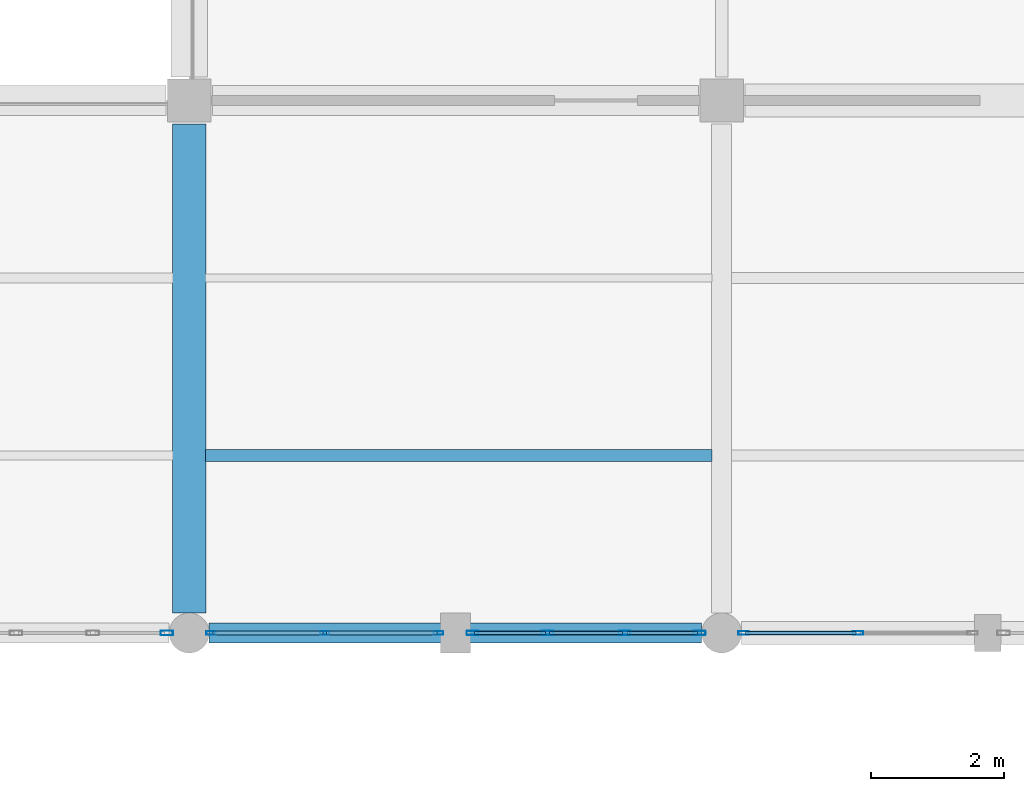
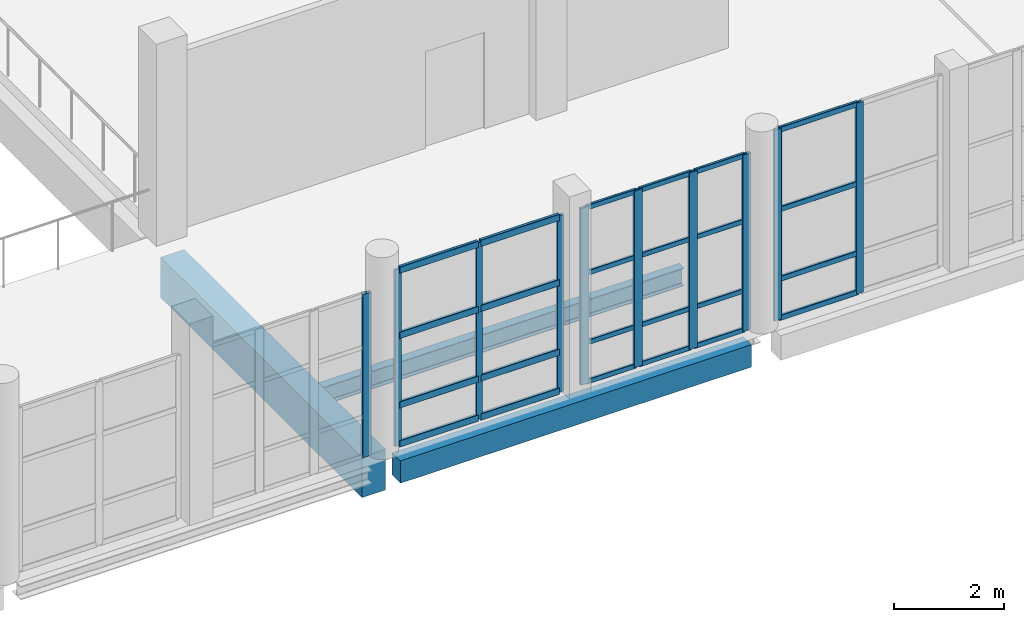
# One storey, part 26 of 183: 34 members, 3 beams, 4 elements without a shape of their own.
"""IFC4 building model written with IfcOpenShell, lengths in metres."""

from ifc_helpers import new_model, si_unit, direction, frame, origin, origin_2d, place, context, subcontext, project, spatial, rectangle, hollow_rectangle, i_section, extrude, material, material_profile, profile_set, type_object, element, aggregate, save


model = new_model("IFC4")

# Units and contexts
model_context = context("Model", 3, precision=1e-05, world=origin(), true_north=direction((0.0, 1.0)))
body_context = subcontext(model_context, "Body", "Model", "MODEL_VIEW")
ifc_project = project(units=[si_unit("LENGTHUNIT", "METRE"), si_unit("AREAUNIT", "SQUARE_METRE"), si_unit("VOLUMEUNIT", "CUBIC_METRE"), si_unit("PLANEANGLEUNIT", "RADIAN"), si_unit("MASSUNIT", "GRAM", prefix="KILO")], contexts=[model_context])

# Site, building, storey
site_placement = place(None, origin())
site = spatial("IfcSite", under=ifc_project, at=site_placement, CompositionType="ELEMENT")
building_placement = place(site_placement, origin())
building = spatial("IfcBuilding", under=site, at=building_placement, Name="Luwemba Playhouse", CompositionType="ELEMENT")
storey_placement = place(building_placement, frame((0.0, 0.0, 4.800048828125)))
storey = spatial("IfcBuildingStorey", under=building, at=storey_placement, Name="L01", CompositionType="ELEMENT", Elevation=4.800048828125)

# Beams
ifc_material_1 = material(Name="Concrete C40/50", Category="concrete")
ifc_material_profile_1 = material_profile(ifc_material_1, rectangle(XDim=0.5, YDim=0.89990234375, at=origin_2d()))
ifc_profile_set_1 = profile_set([ifc_material_profile_1], Name="Concrete C40/50")
beam_type_1 = type_object("IfcBeamType", Name="BM-RB07", PredefinedType="BEAM", material=ifc_profile_set_1)
beam_1_placement = place(storey_placement, frame((36.0, 3.300048828125, -0.699951171875), z_axis=(0.0, 1.0, 0.0), x_axis=(-1.0, 0.0, 0.0)))
element("IfcBeam", 1, at=beam_1_placement, inside=storey, type_object=beam_type_1, Name="L01 transverse girder 0507", PredefinedType="BEAM", context=body_context, shape_type="SweptSolid", body=[
    extrude(rectangle(XDim=0.5, YDim=0.89990234375, at=origin_2d()), origin(), (0.0, 0.0, 1.0), 7.349853515625),
])
ifc_material_2 = material(Name="Steel S355", Category="steel")
ifc_material_profile_2 = material_profile(ifc_material_2, i_section(OverallWidth=0.179931640625, OverallDepth=0.39990234375, WebThickness=0.008544921875, FlangeThickness=0.013427734375, FilletRadius=0.02099609375, at=origin_2d()))
ifc_profile_set_2 = profile_set([ifc_material_profile_2], Name="Steel S355")
beam_type_2 = type_object("IfcBeamType", Name="BM-SJ08", PredefinedType="JOIST", material=ifc_profile_set_2)
beam_2_placement = place(storey_placement, frame((36.24609375, 5.666748046875, -0.449951171875), z_axis=(1.0, 0.0, 0.0), x_axis=(0.0, 1.0, 0.0)))
element("IfcBeam", 2, at=beam_2_placement, inside=storey, type_object=beam_type_2, Name="L01 composite floor joist 0291", PredefinedType="JOIST", context=body_context, shape_type="SweptSolid", body=[
    extrude(i_section(OverallWidth=0.179931640625, OverallDepth=0.39990234375, WebThickness=0.008544921875, FlangeThickness=0.013427734375, FilletRadius=0.02099609375, at=origin_2d()), origin(), (0.0, 0.0, 1.0), 7.60791015625),
])
ifc_material_profile_3 = material_profile(ifc_material_1, rectangle(XDim=0.300048828125, YDim=0.5, at=origin_2d()))
ifc_profile_set_3 = profile_set([ifc_material_profile_3], Name="Concrete C40/50")
beam_type_3 = type_object("IfcBeamType", Name="BM-SP1", PredefinedType="SPANDREL", material=ifc_profile_set_3)
beam_3_placement = place(storey_placement, frame((36.300048828125, 3.0, -0.5), z_axis=(1.0, 0.0, 0.0), x_axis=(0.0, 1.0, 0.0)))
element("IfcBeam", 3, at=beam_3_placement, inside=storey, type_object=beam_type_3, Name="L01 grid girder 0472", PredefinedType="SPANDREL", context=body_context, shape_type="SweptSolid", body=[
    extrude(rectangle(XDim=0.300048828125, YDim=0.5, at=origin_2d()), origin(), (0.0, 0.0, 1.0), 7.39990234375),
])

# Curtain wall, members
ifc_material_3 = material(Name="Solar-control double glazing", Category="glass")
curtain_wall_type_1 = type_object("IfcCurtainWallType", Name="CW-CW110", PredefinedType="USERDEFINED", material=ifc_material_3)
curtain_wall_1_placement = place(storey_placement, origin())
curtain_wall_1 = element("IfcCurtainWall", 4, at=curtain_wall_1_placement, inside=storey, type_object=curtain_wall_type_1, Name="L01 V5W unitised curtain wall 142", ObjectType="UNITISED GLAZING", PredefinedType="USERDEFINED")
ifc_material_4 = material(Name="Aluminium 6063-T6", Category="aluminium")
ifc_material_profile_4 = material_profile(ifc_material_4, hollow_rectangle(XDim=0.06005859375, YDim=0.159912109375, WallThickness=0.00390625, InnerFilletRadius=0.006103515625, OuterFilletRadius=0.010009765625, at=origin_2d()))
ifc_profile_set_4 = profile_set([ifc_material_profile_4], Name="Aluminium 6063-T6")
member_type_1 = type_object("IfcMemberType", Name="CWM-M1", PredefinedType="MULLION", material=ifc_profile_set_4)
member_1_placement = place(storey_placement, frame((46.050048828125, 3.0, 0.0), z_axis=(0.0, 0.0, 1.0), x_axis=(0.0, -1.0, 0.0)))
member_1 = element("IfcMember", 5, at=member_1_placement, type_object=member_type_1, Name="CW110 mullion 2", PredefinedType="MULLION", context=body_context, shape_type="SweptSolid", body=[
    extrude(hollow_rectangle(XDim=0.06005859375, YDim=0.159912109375, WallThickness=0.00390625, InnerFilletRadius=0.006103515625, OuterFilletRadius=0.010009765625, at=origin_2d()), origin(), (0.0, 0.0, 1.0), 4.25),
])
member_2_placement = place(storey_placement, frame((44.330078125, 3.0, 0.0), z_axis=(0.0, 0.0, 1.0), x_axis=(0.0, -1.0, 0.0)))
member_2 = element("IfcMember", 6, at=member_2_placement, type_object=member_type_1, Name="CW110 mullion 3", PredefinedType="MULLION", context=body_context, shape_type="SweptSolid", body=[
    extrude(hollow_rectangle(XDim=0.06005859375, YDim=0.159912109375, WallThickness=0.00390625, InnerFilletRadius=0.006103515625, OuterFilletRadius=0.010009765625, at=origin_2d()), origin(), (0.0, 0.0, 1.0), 4.25),
])

curtain_wall_type_2 = type_object("IfcCurtainWallType", Name="CW-CW51", PredefinedType="USERDEFINED", material=ifc_material_3)
curtain_wall_2_placement = place(storey_placement, origin())
curtain_wall_2 = element("IfcCurtainWall", 7, at=curtain_wall_2_placement, inside=storey, type_object=curtain_wall_type_2, Name="L01 V5W unitised curtain wall 143", ObjectType="UNITISED GLAZING", PredefinedType="USERDEFINED")
ifc_material_profile_5 = material_profile(ifc_material_4, hollow_rectangle(XDim=0.06494140625, YDim=0.179931640625, WallThickness=0.00439453125, InnerFilletRadius=0.0068359375, OuterFilletRadius=0.01123046875, at=origin_2d()))
ifc_profile_set_5 = profile_set([ifc_material_profile_5], Name="Aluminium 6063-T6")
member_type_2 = type_object("IfcMemberType", Name="CWM-M2", PredefinedType="MULLION", material=ifc_profile_set_5)
member_3_placement = place(storey_placement, frame((43.66748046875, 3.0, 0.0), z_axis=(0.0, 0.0, 1.0), x_axis=(0.0, -1.0, 0.0)))
member_3 = element("IfcMember", 8, at=member_3_placement, type_object=member_type_2, Name="CW51 mullion 1", PredefinedType="MULLION", context=body_context, shape_type="SweptSolid", body=[
    extrude(hollow_rectangle(XDim=0.06494140625, YDim=0.179931640625, WallThickness=0.00439453125, InnerFilletRadius=0.0068359375, OuterFilletRadius=0.01123046875, at=origin_2d()), origin(), (0.0, 0.0, 1.0), 3.93505859375),
])
member_4_placement = place(storey_placement, frame((42.541748046875, 3.0, 0.0), z_axis=(0.0, 0.0, 1.0), x_axis=(0.0, -1.0, 0.0)))
member_4 = element("IfcMember", 9, at=member_4_placement, type_object=member_type_2, Name="CW51 mullion 2", PredefinedType="MULLION", context=body_context, shape_type="SweptSolid", body=[
    extrude(hollow_rectangle(XDim=0.06494140625, YDim=0.179931640625, WallThickness=0.00439453125, InnerFilletRadius=0.0068359375, OuterFilletRadius=0.01123046875, at=origin_2d()), origin(), (0.0, 0.0, 1.0), 3.93505859375),
])
member_5_placement = place(storey_placement, frame((41.38330078125, 3.0, 0.0), z_axis=(0.0, 0.0, 1.0), x_axis=(0.0, -1.0, 0.0)))
member_5 = element("IfcMember", 10, at=member_5_placement, type_object=member_type_2, Name="CW51 mullion 3", PredefinedType="MULLION", context=body_context, shape_type="SweptSolid", body=[
    extrude(hollow_rectangle(XDim=0.06494140625, YDim=0.179931640625, WallThickness=0.00439453125, InnerFilletRadius=0.0068359375, OuterFilletRadius=0.01123046875, at=origin_2d()), origin(), (0.0, 0.0, 1.0), 3.93505859375),
])
member_6_placement = place(storey_placement, frame((40.257568359375, 3.0, 0.0), z_axis=(0.0, 0.0, 1.0), x_axis=(0.0, -1.0, 0.0)))
member_6 = element("IfcMember", 11, at=member_6_placement, type_object=member_type_2, Name="CW51 mullion 4", PredefinedType="MULLION", context=body_context, shape_type="SweptSolid", body=[
    extrude(hollow_rectangle(XDim=0.06494140625, YDim=0.179931640625, WallThickness=0.00439453125, InnerFilletRadius=0.0068359375, OuterFilletRadius=0.01123046875, at=origin_2d()), origin(), (0.0, 0.0, 1.0), 3.93505859375),
])

curtain_wall_type_3 = type_object("IfcCurtainWallType", Name="CW-CW86", PredefinedType="USERDEFINED", material=ifc_material_3)
curtain_wall_3_placement = place(storey_placement, origin())
curtain_wall_3 = element("IfcCurtainWall", 12, at=curtain_wall_3_placement, inside=storey, type_object=curtain_wall_type_3, Name="L01 V5W unitised curtain wall 144", ObjectType="UNITISED GLAZING", PredefinedType="USERDEFINED")
ifc_material_profile_6 = material_profile(ifc_material_4, hollow_rectangle(XDim=0.054931640625, YDim=0.139892578125, WallThickness=0.00390625, InnerFilletRadius=0.006103515625, OuterFilletRadius=0.010009765625, at=origin_2d()))
ifc_profile_set_6 = profile_set([ifc_material_profile_6], Name="Aluminium 6063-T6")
member_type_3 = type_object("IfcMemberType", Name="CWM-M3", PredefinedType="MULLION", material=ifc_profile_set_6)
member_7_placement = place(storey_placement, frame((39.74755859375, 3.0, 0.0), z_axis=(0.0, 0.0, 1.0), x_axis=(0.0, -1.0, 0.0)))
member_7 = element("IfcMember", 13, at=member_7_placement, type_object=member_type_3, Name="CW86 mullion 1", PredefinedType="MULLION", context=body_context, shape_type="SweptSolid", body=[
    extrude(hollow_rectangle(XDim=0.054931640625, YDim=0.139892578125, WallThickness=0.00390625, InnerFilletRadius=0.006103515625, OuterFilletRadius=0.010009765625, at=origin_2d()), origin(), (0.0, 0.0, 1.0), 3.93505859375),
])
member_8_placement = place(storey_placement, frame((38.03759765625, 3.0, 0.0), z_axis=(0.0, 0.0, 1.0), x_axis=(0.0, -1.0, 0.0)))
member_8 = element("IfcMember", 14, at=member_8_placement, type_object=member_type_3, Name="CW86 mullion 2", PredefinedType="MULLION", context=body_context, shape_type="SweptSolid", body=[
    extrude(hollow_rectangle(XDim=0.054931640625, YDim=0.139892578125, WallThickness=0.00390625, InnerFilletRadius=0.006103515625, OuterFilletRadius=0.010009765625, at=origin_2d()), origin(), (0.0, 0.0, 1.0), 3.93505859375),
])
member_9_placement = place(storey_placement, frame((36.327392578125, 3.0, 0.0), z_axis=(0.0, 0.0, 1.0), x_axis=(0.0, -1.0, 0.0)))
member_9 = element("IfcMember", 15, at=member_9_placement, type_object=member_type_3, Name="CW86 mullion 3", PredefinedType="MULLION", context=body_context, shape_type="SweptSolid", body=[
    extrude(hollow_rectangle(XDim=0.054931640625, YDim=0.139892578125, WallThickness=0.00390625, InnerFilletRadius=0.006103515625, OuterFilletRadius=0.010009765625, at=origin_2d()), origin(), (0.0, 0.0, 1.0), 3.93505859375),
])

# Curtain wall, member
curtain_wall_type_4 = type_object("IfcCurtainWallType", Name="CW-CW111", PredefinedType="USERDEFINED", material=ifc_material_3)
curtain_wall_4_placement = place(storey_placement, origin())
curtain_wall_4 = element("IfcCurtainWall", 16, at=curtain_wall_4_placement, inside=storey, type_object=curtain_wall_type_4, Name="L01 V5W unitised curtain wall 145", ObjectType="UNITISED GLAZING", PredefinedType="USERDEFINED")
ifc_material_profile_7 = material_profile(ifc_material_4, hollow_rectangle(XDim=0.070068359375, YDim=0.18994140625, WallThickness=0.0048828125, InnerFilletRadius=0.007568359375, OuterFilletRadius=0.012451171875, at=origin_2d()))
ifc_profile_set_7 = profile_set([ifc_material_profile_7], Name="Aluminium 6063-T6")
member_type_4 = type_object("IfcMemberType", Name="CWM-M4", PredefinedType="MULLION", material=ifc_profile_set_7)
member_10_placement = place(storey_placement, frame((35.6650390625, 3.0, 0.0), z_axis=(0.0, 0.0, 1.0), x_axis=(0.0, -1.0, 0.0)))
member_10 = element("IfcMember", 17, at=member_10_placement, type_object=member_type_4, Name="CW111 mullion 1", PredefinedType="MULLION", context=body_context, shape_type="SweptSolid", body=[
    extrude(hollow_rectangle(XDim=0.070068359375, YDim=0.18994140625, WallThickness=0.0048828125, InnerFilletRadius=0.007568359375, OuterFilletRadius=0.012451171875, at=origin_2d()), origin(), (0.0, 0.0, 1.0), 3.635009765625),
])
aggregate(curtain_wall_4, [member_10])

# Member
ifc_material_profile_8 = material_profile(ifc_material_4, hollow_rectangle(XDim=0.06005859375, YDim=0.1201171875, WallThickness=0.00390625, InnerFilletRadius=0.006103515625, OuterFilletRadius=0.010009765625, at=origin_2d()))
ifc_profile_set_8 = profile_set([ifc_material_profile_8], Name="Aluminium 6063-T6")
member_type_5 = type_object("IfcMemberType", Name="CWT-T1", PredefinedType="USERDEFINED", material=ifc_profile_set_8)
member_11_placement = place(storey_placement, frame((46.02001953125, 3.0, 0.030029296875), z_axis=(-1.0, 0.0, 0.0), x_axis=(0.0, -1.0, 0.0)))
member_11 = element("IfcMember", 18, at=member_11_placement, type_object=member_type_5, Name="CW110 transom 2.1", ObjectType="TRANSOM", PredefinedType="USERDEFINED", context=body_context, shape_type="SweptSolid", body=[
    extrude(hollow_rectangle(XDim=0.06005859375, YDim=0.1201171875, WallThickness=0.00390625, InnerFilletRadius=0.006103515625, OuterFilletRadius=0.010009765625, at=origin_2d()), origin(), (0.0, 0.0, 1.0), 1.659912109375),
])

member_12_placement = place(storey_placement, frame((46.02001953125, 3.0, 0.89990234375), z_axis=(-1.0, 0.0, 0.0), x_axis=(0.0, -1.0, 0.0)))
member_12 = element("IfcMember", 19, at=member_12_placement, type_object=member_type_5, Name="CW110 transom 2.2", ObjectType="TRANSOM", PredefinedType="USERDEFINED", context=body_context, shape_type="SweptSolid", body=[
    extrude(hollow_rectangle(XDim=0.06005859375, YDim=0.1201171875, WallThickness=0.00390625, InnerFilletRadius=0.006103515625, OuterFilletRadius=0.010009765625, at=origin_2d()), origin(), (0.0, 0.0, 1.0), 1.659912109375),
])

member_13_placement = place(storey_placement, frame((46.02001953125, 3.0, 2.449951171875), z_axis=(-1.0, 0.0, 0.0), x_axis=(0.0, -1.0, 0.0)))
member_13 = element("IfcMember", 20, at=member_13_placement, type_object=member_type_5, Name="CW110 transom 2.3", ObjectType="TRANSOM", PredefinedType="USERDEFINED", context=body_context, shape_type="SweptSolid", body=[
    extrude(hollow_rectangle(XDim=0.06005859375, YDim=0.1201171875, WallThickness=0.00390625, InnerFilletRadius=0.006103515625, OuterFilletRadius=0.010009765625, at=origin_2d()), origin(), (0.0, 0.0, 1.0), 1.659912109375),
])

member_14_placement = place(storey_placement, frame((46.02001953125, 3.0, 4.219970703125), z_axis=(-1.0, 0.0, 0.0), x_axis=(0.0, -1.0, 0.0)))
member_14 = element("IfcMember", 21, at=member_14_placement, type_object=member_type_5, Name="CW110 transom 2.4", ObjectType="TRANSOM", PredefinedType="USERDEFINED", context=body_context, shape_type="SweptSolid", body=[
    extrude(hollow_rectangle(XDim=0.06005859375, YDim=0.1201171875, WallThickness=0.00390625, InnerFilletRadius=0.006103515625, OuterFilletRadius=0.010009765625, at=origin_2d()), origin(), (0.0, 0.0, 1.0), 1.659912109375),
])

aggregate(curtain_wall_1, [member_1, member_2, member_11, member_12, member_13, member_14])

ifc_material_profile_9 = material_profile(ifc_material_4, hollow_rectangle(XDim=0.054931640625, YDim=0.110107421875, WallThickness=0.00341796875, InnerFilletRadius=0.00537109375, OuterFilletRadius=0.0087890625, at=origin_2d()))
ifc_profile_set_9 = profile_set([ifc_material_profile_9], Name="Aluminium 6063-T6")
member_type_6 = type_object("IfcMemberType", Name="CWT-T2", PredefinedType="USERDEFINED", material=ifc_profile_set_9)
member_15_placement = place(storey_placement, frame((43.635009765625, 3.0, 0.02734375), z_axis=(-1.0, 0.0, 0.0), x_axis=(0.0, -1.0, 0.0)))
member_15 = element("IfcMember", 22, at=member_15_placement, type_object=member_type_6, Name="CW51 transom 1.1", ObjectType="TRANSOM", PredefinedType="USERDEFINED", context=body_context, shape_type="SweptSolid", body=[
    extrude(hollow_rectangle(XDim=0.054931640625, YDim=0.110107421875, WallThickness=0.00341796875, InnerFilletRadius=0.00537109375, OuterFilletRadius=0.0087890625, at=origin_2d()), origin(), (0.0, 0.0, 1.0), 1.060791015625),
])

member_16_placement = place(storey_placement, frame((43.635009765625, 3.0, 0.89990234375), z_axis=(-1.0, 0.0, 0.0), x_axis=(0.0, -1.0, 0.0)))
member_16 = element("IfcMember", 23, at=member_16_placement, type_object=member_type_6, Name="CW51 transom 1.2", ObjectType="TRANSOM", PredefinedType="USERDEFINED", context=body_context, shape_type="SweptSolid", body=[
    extrude(hollow_rectangle(XDim=0.054931640625, YDim=0.110107421875, WallThickness=0.00341796875, InnerFilletRadius=0.00537109375, OuterFilletRadius=0.0087890625, at=origin_2d()), origin(), (0.0, 0.0, 1.0), 1.060791015625),
])

member_17_placement = place(storey_placement, frame((43.635009765625, 3.0, 2.449951171875), z_axis=(-1.0, 0.0, 0.0), x_axis=(0.0, -1.0, 0.0)))
member_17 = element("IfcMember", 24, at=member_17_placement, type_object=member_type_6, Name="CW51 transom 1.3", ObjectType="TRANSOM", PredefinedType="USERDEFINED", context=body_context, shape_type="SweptSolid", body=[
    extrude(hollow_rectangle(XDim=0.054931640625, YDim=0.110107421875, WallThickness=0.00341796875, InnerFilletRadius=0.00537109375, OuterFilletRadius=0.0087890625, at=origin_2d()), origin(), (0.0, 0.0, 1.0), 1.060791015625),
])

member_18_placement = place(storey_placement, frame((43.635009765625, 3.0, 3.907470703125), z_axis=(-1.0, 0.0, 0.0), x_axis=(0.0, -1.0, 0.0)))
member_18 = element("IfcMember", 25, at=member_18_placement, type_object=member_type_6, Name="CW51 transom 1.4", ObjectType="TRANSOM", PredefinedType="USERDEFINED", context=body_context, shape_type="SweptSolid", body=[
    extrude(hollow_rectangle(XDim=0.054931640625, YDim=0.110107421875, WallThickness=0.00341796875, InnerFilletRadius=0.00537109375, OuterFilletRadius=0.0087890625, at=origin_2d()), origin(), (0.0, 0.0, 1.0), 1.060791015625),
])

member_19_placement = place(storey_placement, frame((42.50927734375, 3.0, 0.02734375), z_axis=(-1.0, 0.0, 0.0), x_axis=(0.0, -1.0, 0.0)))
member_19 = element("IfcMember", 26, at=member_19_placement, type_object=member_type_6, Name="CW51 transom 2.1", ObjectType="TRANSOM", PredefinedType="USERDEFINED", context=body_context, shape_type="SweptSolid", body=[
    extrude(hollow_rectangle(XDim=0.054931640625, YDim=0.110107421875, WallThickness=0.00341796875, InnerFilletRadius=0.00537109375, OuterFilletRadius=0.0087890625, at=origin_2d()), origin(), (0.0, 0.0, 1.0), 1.093505859375),
])

member_20_placement = place(storey_placement, frame((42.50927734375, 3.0, 0.89990234375), z_axis=(-1.0, 0.0, 0.0), x_axis=(0.0, -1.0, 0.0)))
member_20 = element("IfcMember", 27, at=member_20_placement, type_object=member_type_6, Name="CW51 transom 2.2", ObjectType="TRANSOM", PredefinedType="USERDEFINED", context=body_context, shape_type="SweptSolid", body=[
    extrude(hollow_rectangle(XDim=0.054931640625, YDim=0.110107421875, WallThickness=0.00341796875, InnerFilletRadius=0.00537109375, OuterFilletRadius=0.0087890625, at=origin_2d()), origin(), (0.0, 0.0, 1.0), 1.093505859375),
])

member_21_placement = place(storey_placement, frame((42.50927734375, 3.0, 2.449951171875), z_axis=(-1.0, 0.0, 0.0), x_axis=(0.0, -1.0, 0.0)))
member_21 = element("IfcMember", 28, at=member_21_placement, type_object=member_type_6, Name="CW51 transom 2.3", ObjectType="TRANSOM", PredefinedType="USERDEFINED", context=body_context, shape_type="SweptSolid", body=[
    extrude(hollow_rectangle(XDim=0.054931640625, YDim=0.110107421875, WallThickness=0.00341796875, InnerFilletRadius=0.00537109375, OuterFilletRadius=0.0087890625, at=origin_2d()), origin(), (0.0, 0.0, 1.0), 1.093505859375),
])

member_22_placement = place(storey_placement, frame((42.50927734375, 3.0, 3.907470703125), z_axis=(-1.0, 0.0, 0.0), x_axis=(0.0, -1.0, 0.0)))
member_22 = element("IfcMember", 29, at=member_22_placement, type_object=member_type_6, Name="CW51 transom 2.4", ObjectType="TRANSOM", PredefinedType="USERDEFINED", context=body_context, shape_type="SweptSolid", body=[
    extrude(hollow_rectangle(XDim=0.054931640625, YDim=0.110107421875, WallThickness=0.00341796875, InnerFilletRadius=0.00537109375, OuterFilletRadius=0.0087890625, at=origin_2d()), origin(), (0.0, 0.0, 1.0), 1.093505859375),
])

member_23_placement = place(storey_placement, frame((41.350830078125, 3.0, 0.02734375), z_axis=(-1.0, 0.0, 0.0), x_axis=(0.0, -1.0, 0.0)))
member_23 = element("IfcMember", 30, at=member_23_placement, type_object=member_type_6, Name="CW51 transom 3.1", ObjectType="TRANSOM", PredefinedType="USERDEFINED", context=body_context, shape_type="SweptSolid", body=[
    extrude(hollow_rectangle(XDim=0.054931640625, YDim=0.110107421875, WallThickness=0.00341796875, InnerFilletRadius=0.00537109375, OuterFilletRadius=0.0087890625, at=origin_2d()), origin(), (0.0, 0.0, 1.0), 1.060791015625),
])

member_24_placement = place(storey_placement, frame((41.350830078125, 3.0, 0.89990234375), z_axis=(-1.0, 0.0, 0.0), x_axis=(0.0, -1.0, 0.0)))
member_24 = element("IfcMember", 31, at=member_24_placement, type_object=member_type_6, Name="CW51 transom 3.2", ObjectType="TRANSOM", PredefinedType="USERDEFINED", context=body_context, shape_type="SweptSolid", body=[
    extrude(hollow_rectangle(XDim=0.054931640625, YDim=0.110107421875, WallThickness=0.00341796875, InnerFilletRadius=0.00537109375, OuterFilletRadius=0.0087890625, at=origin_2d()), origin(), (0.0, 0.0, 1.0), 1.060791015625),
])

member_25_placement = place(storey_placement, frame((41.350830078125, 3.0, 2.449951171875), z_axis=(-1.0, 0.0, 0.0), x_axis=(0.0, -1.0, 0.0)))
member_25 = element("IfcMember", 32, at=member_25_placement, type_object=member_type_6, Name="CW51 transom 3.3", ObjectType="TRANSOM", PredefinedType="USERDEFINED", context=body_context, shape_type="SweptSolid", body=[
    extrude(hollow_rectangle(XDim=0.054931640625, YDim=0.110107421875, WallThickness=0.00341796875, InnerFilletRadius=0.00537109375, OuterFilletRadius=0.0087890625, at=origin_2d()), origin(), (0.0, 0.0, 1.0), 1.060791015625),
])

member_26_placement = place(storey_placement, frame((41.350830078125, 3.0, 3.907470703125), z_axis=(-1.0, 0.0, 0.0), x_axis=(0.0, -1.0, 0.0)))
member_26 = element("IfcMember", 33, at=member_26_placement, type_object=member_type_6, Name="CW51 transom 3.4", ObjectType="TRANSOM", PredefinedType="USERDEFINED", context=body_context, shape_type="SweptSolid", body=[
    extrude(hollow_rectangle(XDim=0.054931640625, YDim=0.110107421875, WallThickness=0.00341796875, InnerFilletRadius=0.00537109375, OuterFilletRadius=0.0087890625, at=origin_2d()), origin(), (0.0, 0.0, 1.0), 1.060791015625),
])

aggregate(curtain_wall_2, [member_3, member_4, member_5, member_6, member_15, member_16, member_17, member_18, member_19, member_20, member_21, member_22, member_23, member_24, member_25, member_26])

ifc_material_profile_10 = material_profile(ifc_material_4, hollow_rectangle(XDim=0.06494140625, YDim=0.14990234375, WallThickness=0.00390625, InnerFilletRadius=0.006103515625, OuterFilletRadius=0.010009765625, at=origin_2d()))
ifc_profile_set_10 = profile_set([ifc_material_profile_10], Name="Aluminium 6063-T6")
member_type_7 = type_object("IfcMemberType", Name="CWT-T3", PredefinedType="USERDEFINED", material=ifc_profile_set_10)
member_27_placement = place(storey_placement, frame((39.719970703125, 3.0, 0.032470703125), z_axis=(-1.0, 0.0, 0.0), x_axis=(0.0, -1.0, 0.0)))
member_27 = element("IfcMember", 34, at=member_27_placement, type_object=member_type_7, Name="CW86 transom 1.1", ObjectType="TRANSOM", PredefinedType="USERDEFINED", context=body_context, shape_type="SweptSolid", body=[
    extrude(hollow_rectangle(XDim=0.06494140625, YDim=0.14990234375, WallThickness=0.00390625, InnerFilletRadius=0.006103515625, OuterFilletRadius=0.010009765625, at=origin_2d()), origin(), (0.0, 0.0, 1.0), 1.655029296875),
])

member_28_placement = place(storey_placement, frame((39.719970703125, 3.0, 0.89990234375), z_axis=(-1.0, 0.0, 0.0), x_axis=(0.0, -1.0, 0.0)))
member_28 = element("IfcMember", 35, at=member_28_placement, type_object=member_type_7, Name="CW86 transom 1.2", ObjectType="TRANSOM", PredefinedType="USERDEFINED", context=body_context, shape_type="SweptSolid", body=[
    extrude(hollow_rectangle(XDim=0.06494140625, YDim=0.14990234375, WallThickness=0.00390625, InnerFilletRadius=0.006103515625, OuterFilletRadius=0.010009765625, at=origin_2d()), origin(), (0.0, 0.0, 1.0), 1.655029296875),
])

member_29_placement = place(storey_placement, frame((39.719970703125, 3.0, 2.449951171875), z_axis=(-1.0, 0.0, 0.0), x_axis=(0.0, -1.0, 0.0)))
member_29 = element("IfcMember", 36, at=member_29_placement, type_object=member_type_7, Name="CW86 transom 1.3", ObjectType="TRANSOM", PredefinedType="USERDEFINED", context=body_context, shape_type="SweptSolid", body=[
    extrude(hollow_rectangle(XDim=0.06494140625, YDim=0.14990234375, WallThickness=0.00390625, InnerFilletRadius=0.006103515625, OuterFilletRadius=0.010009765625, at=origin_2d()), origin(), (0.0, 0.0, 1.0), 1.655029296875),
])

member_30_placement = place(storey_placement, frame((39.719970703125, 3.0, 3.90234375), z_axis=(-1.0, 0.0, 0.0), x_axis=(0.0, -1.0, 0.0)))
member_30 = element("IfcMember", 37, at=member_30_placement, type_object=member_type_7, Name="CW86 transom 1.4", ObjectType="TRANSOM", PredefinedType="USERDEFINED", context=body_context, shape_type="SweptSolid", body=[
    extrude(hollow_rectangle(XDim=0.06494140625, YDim=0.14990234375, WallThickness=0.00390625, InnerFilletRadius=0.006103515625, OuterFilletRadius=0.010009765625, at=origin_2d()), origin(), (0.0, 0.0, 1.0), 1.655029296875),
])

member_31_placement = place(storey_placement, frame((38.010009765625, 3.0, 0.032470703125), z_axis=(-1.0, 0.0, 0.0), x_axis=(0.0, -1.0, 0.0)))
member_31 = element("IfcMember", 38, at=member_31_placement, type_object=member_type_7, Name="CW86 transom 2.1", ObjectType="TRANSOM", PredefinedType="USERDEFINED", context=body_context, shape_type="SweptSolid", body=[
    extrude(hollow_rectangle(XDim=0.06494140625, YDim=0.14990234375, WallThickness=0.00390625, InnerFilletRadius=0.006103515625, OuterFilletRadius=0.010009765625, at=origin_2d()), origin(), (0.0, 0.0, 1.0), 1.655029296875),
])

member_32_placement = place(storey_placement, frame((38.010009765625, 3.0, 0.89990234375), z_axis=(-1.0, 0.0, 0.0), x_axis=(0.0, -1.0, 0.0)))
member_32 = element("IfcMember", 39, at=member_32_placement, type_object=member_type_7, Name="CW86 transom 2.2", ObjectType="TRANSOM", PredefinedType="USERDEFINED", context=body_context, shape_type="SweptSolid", body=[
    extrude(hollow_rectangle(XDim=0.06494140625, YDim=0.14990234375, WallThickness=0.00390625, InnerFilletRadius=0.006103515625, OuterFilletRadius=0.010009765625, at=origin_2d()), origin(), (0.0, 0.0, 1.0), 1.655029296875),
])

member_33_placement = place(storey_placement, frame((38.010009765625, 3.0, 2.449951171875), z_axis=(-1.0, 0.0, 0.0), x_axis=(0.0, -1.0, 0.0)))
member_33 = element("IfcMember", 40, at=member_33_placement, type_object=member_type_7, Name="CW86 transom 2.3", ObjectType="TRANSOM", PredefinedType="USERDEFINED", context=body_context, shape_type="SweptSolid", body=[
    extrude(hollow_rectangle(XDim=0.06494140625, YDim=0.14990234375, WallThickness=0.00390625, InnerFilletRadius=0.006103515625, OuterFilletRadius=0.010009765625, at=origin_2d()), origin(), (0.0, 0.0, 1.0), 1.655029296875),
])

member_34_placement = place(storey_placement, frame((38.010009765625, 3.0, 3.90234375), z_axis=(-1.0, 0.0, 0.0), x_axis=(0.0, -1.0, 0.0)))
member_34 = element("IfcMember", 41, at=member_34_placement, type_object=member_type_7, Name="CW86 transom 2.4", ObjectType="TRANSOM", PredefinedType="USERDEFINED", context=body_context, shape_type="SweptSolid", body=[
    extrude(hollow_rectangle(XDim=0.06494140625, YDim=0.14990234375, WallThickness=0.00390625, InnerFilletRadius=0.006103515625, OuterFilletRadius=0.010009765625, at=origin_2d()), origin(), (0.0, 0.0, 1.0), 1.655029296875),
])

aggregate(curtain_wall_3, [member_7, member_8, member_9, member_27, member_28, member_29, member_30, member_31, member_32, member_33, member_34])

save(model, "model.ifc")
